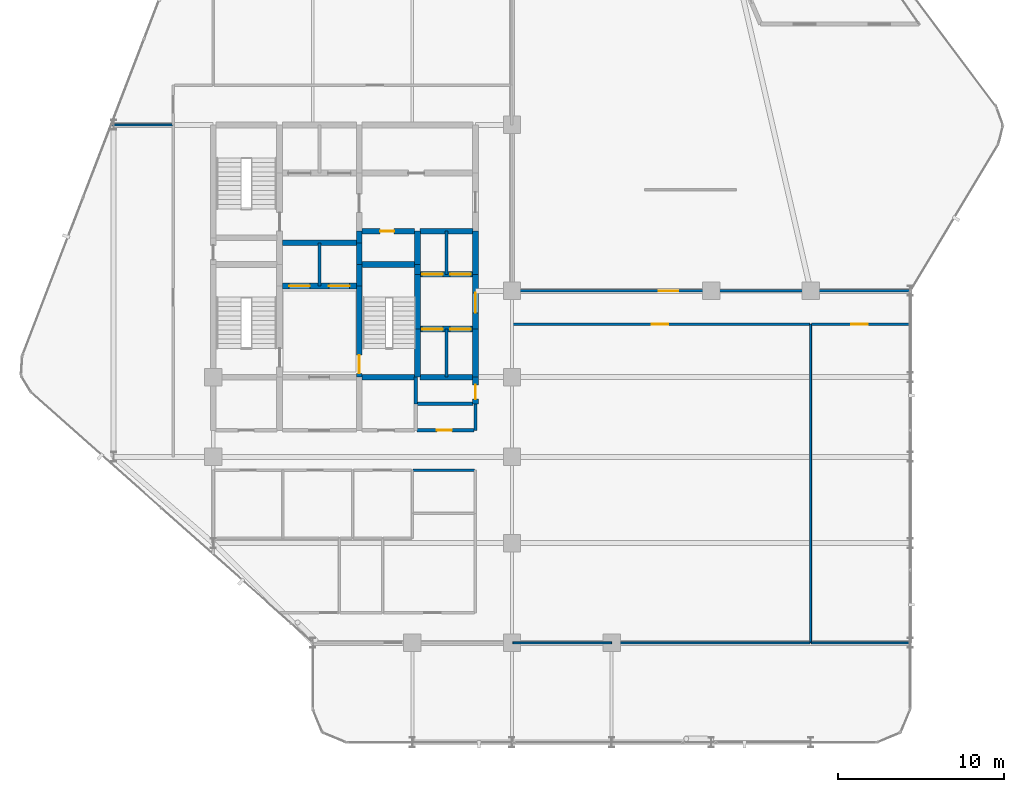
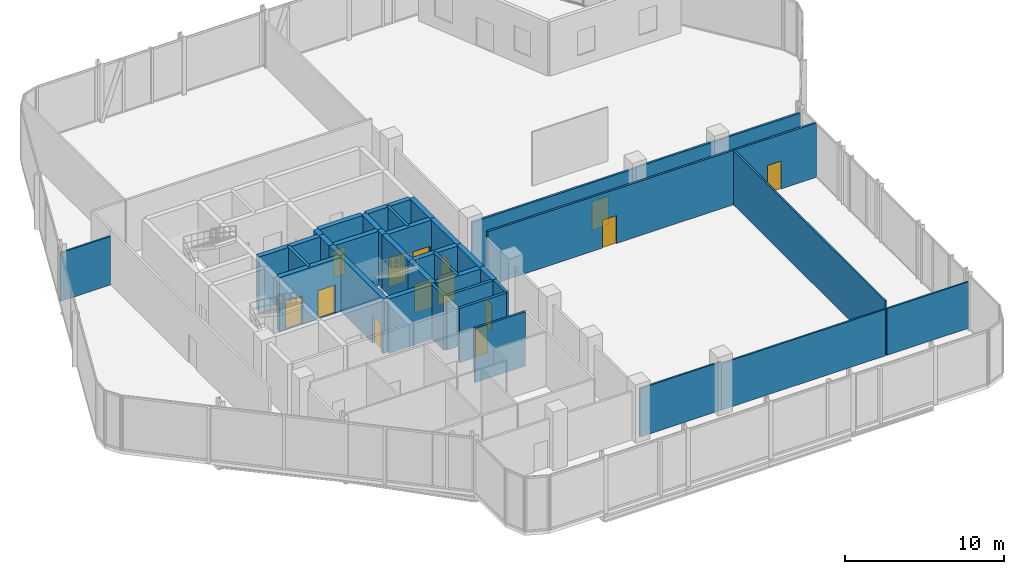
# One storey, part 28 of 31: 38 walls, 14 doors, 14 openings.
"""IFC4 building model written with IfcOpenShell, lengths in metres."""

from ifc_helpers import new_model, si_unit, direction, frame, frame_2d, origin, place, context, subcontext, project, spatial, rectangle, extrude, material, layer, layer_set, type_object, element, fill, save


model = new_model("IFC4")

# Units and contexts
model_context = context("Model", 3, precision=1e-05, world=origin(), true_north=direction((0.0, 1.0)))
body_context = subcontext(model_context, "Body", "Model", "MODEL_VIEW")
ifc_project = project(units=[si_unit("LENGTHUNIT", "METRE"), si_unit("AREAUNIT", "SQUARE_METRE"), si_unit("VOLUMEUNIT", "CUBIC_METRE"), si_unit("PLANEANGLEUNIT", "RADIAN"), si_unit("MASSUNIT", "GRAM", prefix="KILO")], contexts=[model_context])

# Site, building, storey
site_placement = place(None, origin())
site = spatial("IfcSite", under=ifc_project, at=site_placement, CompositionType="ELEMENT")
building_placement = place(site_placement, origin())
building = spatial("IfcBuilding", under=site, at=building_placement, Name="Keshet Zoharim Tower", CompositionType="ELEMENT")
storey_placement = place(building_placement, frame((0.0, 0.0, 125.300048828125)))
storey = spatial("IfcBuildingStorey", under=building, at=storey_placement, Name="L30", CompositionType="ELEMENT", Elevation=125.300048828125)

# Wall
ifc_material_1 = material(Name="Gypsum Plasterboard", Category="gypsum")
ifc_layer_1 = layer(ifc_material_1, 0.14990234375)
ifc_layer_set_1 = layer_set([ifc_layer_1], Name="Gypsum Plasterboard")
wall_type_1 = type_object("IfcWallType", Name="WL-CLIN-150", PredefinedType="STANDARD", material=ifc_layer_set_1)
wall_1_placement = place(storey_placement, frame((27.044921875, 17.10009765625, 0.0), z_axis=(0.0, 0.0, 1.0), x_axis=(1.0, 0.0, 0.0)))
element("IfcWall", 1, at=wall_1_placement, inside=storey, type_object=wall_type_1, Name="L30 Interior Wall 064", PredefinedType="STANDARD", context=body_context, shape_type="SweptSolid", body=[
    extrude(rectangle(XDim=3.695068359375, YDim=0.14990234375, at=frame_2d((1.84765625, 0.0))), origin(), (0.0, 0.0, 1.0), 4.18505859375),
])

# Wall, opening, door
wall_2_placement = place(storey_placement, frame((33.06005859375, 25.89990234375, 0.0), z_axis=(0.0, 0.0, 1.0), x_axis=(1.0, 0.0, 0.0)))
wall_2 = element("IfcWall", 2, at=wall_2_placement, inside=storey, type_object=wall_type_1, Name="L30 Interior Wall 075", PredefinedType="STANDARD", context=body_context, shape_type="SweptSolid", body=[
    extrude(rectangle(XDim=17.89501953125, YDim=0.14990234375, at=frame_2d((8.947509765625, 0.0))), origin(), (0.0, 0.0, 1.0), 4.18505859375),
])
opening_1_placement = place(wall_2_placement, frame((8.368896484375, 0.0, 0.0)))
opening_1 = element("IfcOpeningElement", 3, at=opening_1_placement, cuts=wall_2, Name="Opening D-F310", PredefinedType="OPENING", context=body_context, shape_type="SweptSolid", body=[
    extrude(rectangle(XDim=1.0, YDim=2.14990234375, at=frame_2d((0.5, 1.074951171875))), frame((0.0, 0.0849609375, 0.0), z_axis=(0.0, -1.0, 0.0), x_axis=(1.0, 0.0, 0.0)), (0.0, 0.0, 1.0), 0.169921875),
])
ifc_material_2 = material(Name="Hardwood Timber", Category="wood")
door_type_1 = type_object("IfcDoorType", Name="DR-FD30-100", OperationType="NOTDEFINED", PredefinedType="DOOR", material=ifc_material_2)
door_1_placement = place(opening_1_placement, origin())
door_1 = element("IfcDoor", 4, at=door_1_placement, inside=storey, type_object=door_type_1, Name="L30 Residents Dining Lounge Door", OperationType="SINGLE_SWING_LEFT", OverallHeight=2.14990234375, OverallWidth=1.0, PredefinedType="DOOR", context=body_context, shape_type="SweptSolid", body=[
    extrude(rectangle(XDim=1.0, YDim=2.14990234375, at=frame_2d((0.5, 1.074951171875))), frame((0.0, 0.02490234375, 0.0), z_axis=(0.0, -1.0, 0.0), x_axis=(1.0, 0.0, 0.0)), (0.0, 0.0, 1.0), 0.050048828125),
])
fill(opening_1, door_1)

wall_3_placement = place(storey_placement, frame((51.044921875, 25.89990234375, 0.0), z_axis=(0.0, 0.0, 1.0), x_axis=(1.0, 0.0, 0.0)))
wall_3 = element("IfcWall", 5, at=wall_3_placement, inside=storey, type_object=wall_type_1, Name="L30 Interior Wall 076", PredefinedType="STANDARD", context=body_context, shape_type="SweptSolid", body=[
    extrude(rectangle(XDim=5.945068359375, YDim=0.14990234375, at=frame_2d((2.97265625, 0.0))), origin(), (0.0, 0.0, 1.0), 4.18505859375),
])
opening_2_placement = place(wall_3_placement, frame((2.384033203125, 0.0, 0.0)))
opening_2 = element("IfcOpeningElement", 6, at=opening_2_placement, cuts=wall_3, Name="Opening D-F310", PredefinedType="OPENING", context=body_context, shape_type="SweptSolid", body=[
    extrude(rectangle(XDim=1.0, YDim=2.14990234375, at=frame_2d((0.5, 1.074951171875))), frame((0.0, 0.0849609375, 0.0), z_axis=(0.0, -1.0, 0.0), x_axis=(1.0, 0.0, 0.0)), (0.0, 0.0, 1.0), 0.169921875),
])
door_2_placement = place(opening_2_placement, origin())
door_2 = element("IfcDoor", 7, at=door_2_placement, inside=storey, type_object=door_type_1, Name="L30 Residents Study Room Door", OperationType="SINGLE_SWING_RIGHT", OverallHeight=2.14990234375, OverallWidth=1.0, PredefinedType="DOOR", context=body_context, shape_type="SweptSolid", body=[
    extrude(rectangle(XDim=1.0, YDim=2.14990234375, at=frame_2d((0.5, 1.074951171875))), frame((0.0, 0.02490234375, 0.0), z_axis=(0.0, -1.0, 0.0), x_axis=(1.0, 0.0, 0.0)), (0.0, 0.0, 1.0), 0.050048828125),
])
fill(opening_2, door_2)

wall_4_placement = place(storey_placement, frame((33.06005859375, 27.89990234375, 0.0), z_axis=(0.0, 0.0, 1.0), x_axis=(1.0, 0.0, 0.0)))
wall_4 = element("IfcWall", 8, at=wall_4_placement, inside=storey, type_object=wall_type_1, Name="L30 Interior Wall 077", PredefinedType="STANDARD", context=body_context, shape_type="SweptSolid", body=[
    extrude(rectangle(XDim=11.93994140625, YDim=0.14990234375, at=frame_2d((5.969970703125, 0.0))), origin(), (0.0, 0.0, 1.0), 3.68505859375),
])
opening_3_placement = place(wall_4_placement, frame((8.77001953125, 0.0, 0.0)))
opening_3 = element("IfcOpeningElement", 9, at=opening_3_placement, cuts=wall_4, Name="Opening D-F612", PredefinedType="OPENING", context=body_context, shape_type="SweptSolid", body=[
    extrude(rectangle(XDim=1.199951171875, YDim=2.199951171875, at=frame_2d((0.60009765625, 1.10009765625))), frame((0.0, 0.0849609375, 0.0), z_axis=(0.0, -1.0, 0.0), x_axis=(1.0, 0.0, 0.0)), (0.0, 0.0, 1.0), 0.169921875),
])
door_type_2 = type_object("IfcDoorType", Name="DR-FD60-120", OperationType="NOTDEFINED", PredefinedType="DOOR", material=ifc_material_2)
door_3_placement = place(opening_3_placement, origin())
door_3 = element("IfcDoor", 10, at=door_3_placement, inside=storey, type_object=door_type_2, Name="L30 Community Assembly Hall Door", OperationType="SINGLE_SWING_LEFT", OverallHeight=2.199951171875, OverallWidth=1.199951171875, PredefinedType="DOOR", context=body_context, shape_type="SweptSolid", body=[
    extrude(rectangle(XDim=1.199951171875, YDim=2.199951171875, at=frame_2d((0.60009765625, 1.10009765625))), frame((0.0, 0.02490234375, 0.0), z_axis=(0.0, -1.0, 0.0), x_axis=(1.0, 0.0, 0.0)), (0.0, 0.0, 1.0), 0.050048828125),
])
fill(opening_3, door_3)

# Wall
wall_5_placement = place(storey_placement, frame((45.0, 27.89990234375, 0.0), z_axis=(0.0, 0.0, 1.0), x_axis=(1.0, 0.0, 0.0)))
element("IfcWall", 11, at=wall_5_placement, inside=storey, type_object=wall_type_1, Name="L30 Interior Wall 077 Part 2", PredefinedType="STANDARD", context=body_context, shape_type="SweptSolid", body=[
    extrude(rectangle(XDim=11.989990234375, YDim=0.14990234375, at=frame_2d((5.9951171875, 0.0))), origin(), (0.0, 0.0, 1.0), 3.73486328125),
])

# Wall, opening, door
ifc_material_3 = material(Name="Concrete C60/75", Category="concrete")
ifc_layer_2 = layer(ifc_material_3, 0.35009765625)
ifc_layer_set_2 = layer_set([ifc_layer_2], Name="Concrete C60/75")
wall_type_2 = type_object("IfcWallType", Name="WL-CORE-350", PredefinedType="SHEAR", material=ifc_layer_set_2)
wall_6_placement = place(storey_placement, frame((23.800048828125, 22.699951171875, 0.0), z_axis=(0.0, 0.0, 1.0), x_axis=(0.0, 1.0, 0.0)))
wall_6 = element("IfcWall", 12, at=wall_6_placement, inside=storey, type_object=wall_type_2, Name="L30 Core Shear Wall 021", PredefinedType="SHEAR", context=body_context, shape_type="SweptSolid", body=[
    extrude(rectangle(XDim=5.5, YDim=0.35009765625, at=frame_2d((2.75, 0.0))), origin(), (0.0, 0.0, 1.0), 4.18505859375),
])
opening_4_placement = place(wall_6_placement, frame((0.235107421875, 0.0, 0.0)))
opening_4 = element("IfcOpeningElement", 13, at=opening_4_placement, cuts=wall_6, Name="Opening D-F611", PredefinedType="OPENING", context=body_context, shape_type="SweptSolid", body=[
    extrude(rectangle(XDim=1.10009765625, YDim=2.14990234375, at=frame_2d((0.550048828125, 1.074951171875))), frame((0.0, 0.18505859375, 0.0), z_axis=(0.0, -1.0, 0.0), x_axis=(1.0, 0.0, 0.0)), (0.0, 0.0, 1.0), 0.3701171875),
])
door_type_3 = type_object("IfcDoorType", Name="DR-FD60-110", OperationType="NOTDEFINED", PredefinedType="DOOR", material=ifc_material_2)
door_4_placement = place(opening_4_placement, frame((1.10009765625, 0.0, 0.0), z_axis=(0.0, 0.0, 1.0), x_axis=(-1.0, 0.0, 0.0)))
door_4 = element("IfcDoor", 14, at=door_4_placement, inside=storey, type_object=door_type_3, Name="L30 Exit Stair ST-03 Fire Door", OperationType="SINGLE_SWING_LEFT", OverallHeight=2.14990234375, OverallWidth=1.10009765625, PredefinedType="DOOR", context=body_context, shape_type="SweptSolid", body=[
    extrude(rectangle(XDim=1.10009765625, YDim=2.14990234375, at=frame_2d((0.550048828125, 1.074951171875))), frame((0.0, 0.02490234375, 0.0), z_axis=(0.0, -1.0, 0.0), x_axis=(1.0, 0.0, 0.0)), (0.0, 0.0, 1.0), 0.050048828125),
])
fill(opening_4, door_4)

# Walls
for number, where, z_axis, x_axis, name in (
    (15, (23.800048828125, 28.199951171875, 0.0), (0.0, 0.0, 1.0), (0.0, 1.0, 0.0), "L30 Core Shear Wall 022"),
    (16, (23.800048828125, 29.5, 0.0), (0.0, 0.0, 1.0), (0.0, 1.0, 0.0), "L30 Core Shear Wall 023"),
):
    element("IfcWall", number, at=place(storey_placement, frame(where, z_axis=z_axis, x_axis=x_axis)), inside=storey, type_object=wall_type_2, Name=name, PredefinedType="SHEAR", context=body_context, shape_type="SweptSolid", body=[
        extrude(rectangle(XDim=1.300048828125, YDim=0.35009765625, at=frame_2d((0.64990234375, 0.0))), origin(), (0.0, 0.0, 1.0), 4.18505859375),
    ])
wall_7_placement = place(storey_placement, frame((23.800048828125, 30.800048828125, 0.0), z_axis=(0.0, 0.0, 1.0), x_axis=(0.0, 1.0, 0.0)))
element("IfcWall", 17, at=wall_7_placement, inside=storey, type_object=wall_type_2, Name="L30 Core Shear Wall 024", PredefinedType="SHEAR", context=body_context, shape_type="SweptSolid", body=[
    extrude(rectangle(XDim=0.699951171875, YDim=0.35009765625, at=frame_2d((0.35009765625, 0.0))), origin(), (0.0, 0.0, 1.0), 4.18505859375),
])
wall_8_placement = place(storey_placement, frame((27.300048828125, 22.699951171875, 0.0), z_axis=(0.0, 0.0, 1.0), x_axis=(0.0, 1.0, 0.0)))
element("IfcWall", 18, at=wall_8_placement, inside=storey, type_object=wall_type_2, Name="L30 Core Shear Wall 032", PredefinedType="SHEAR", context=body_context, shape_type="SweptSolid", body=[
    extrude(rectangle(XDim=2.900146484375, YDim=0.35009765625, at=frame_2d((1.4501953125, 0.0))), origin(), (0.0, 0.0, 1.0), 4.18505859375),
])
wall_9_placement = place(storey_placement, frame((27.300048828125, 25.60009765625, 0.0), z_axis=(0.0, 0.0, 1.0), x_axis=(0.0, 1.0, 0.0)))
element("IfcWall", 19, at=wall_9_placement, inside=storey, type_object=wall_type_2, Name="L30 Core Shear Wall 033", PredefinedType="SHEAR", context=body_context, shape_type="SweptSolid", body=[
    extrude(rectangle(XDim=3.2998046875, YDim=0.35009765625, at=frame_2d((1.64990234375, 0.0))), origin(), (0.0, 0.0, 1.0), 4.18505859375),
])
wall_10_placement = place(storey_placement, frame((27.300048828125, 28.89990234375, 0.0), z_axis=(0.0, 0.0, 1.0), x_axis=(0.0, 1.0, 0.0)))
element("IfcWall", 20, at=wall_10_placement, inside=storey, type_object=wall_type_2, Name="L30 Core Shear Wall 034", PredefinedType="SHEAR", context=body_context, shape_type="SweptSolid", body=[
    extrude(rectangle(XDim=0.60009765625, YDim=0.35009765625, at=frame_2d((0.300048828125, 0.0))), origin(), (0.0, 0.0, 1.0), 4.18505859375),
])
wall_11_placement = place(storey_placement, frame((27.300048828125, 29.5, 0.0), z_axis=(0.0, 0.0, 1.0), x_axis=(0.0, 1.0, 0.0)))
element("IfcWall", 21, at=wall_11_placement, inside=storey, type_object=wall_type_2, Name="L30 Core Shear Wall 035", PredefinedType="SHEAR", context=body_context, shape_type="SweptSolid", body=[
    extrude(rectangle(XDim=2.0, YDim=0.35009765625, at=frame_2d((1.0, 0.0))), origin(), (0.0, 0.0, 1.0), 4.18505859375),
])

# Wall, opening, door
wall_12_placement = place(storey_placement, frame((30.800048828125, 21.10009765625, 0.0), z_axis=(0.0, 0.0, 1.0), x_axis=(0.0, 1.0, 0.0)))
wall_12 = element("IfcWall", 22, at=wall_12_placement, inside=storey, type_object=wall_type_2, Name="L30 Core Shear Wall 041", PredefinedType="SHEAR", context=body_context, shape_type="SweptSolid", body=[
    extrude(rectangle(XDim=1.599853515625, YDim=0.35009765625, at=frame_2d((0.7998046875, 0.0))), origin(), (0.0, 0.0, 1.0), 4.18505859375),
])
opening_5_placement = place(wall_12_placement, frame((0.287109375, 0.0, 0.0)))
opening_5 = element("IfcOpeningElement", 23, at=opening_5_placement, cuts=wall_12, Name="Opening D-RS85", PredefinedType="OPENING", context=body_context, shape_type="SweptSolid", body=[
    extrude(rectangle(XDim=0.85009765625, YDim=2.10009765625, at=frame_2d((0.425048828125, 1.050048828125))), frame((0.0, 0.18505859375, 0.0), z_axis=(0.0, -1.0, 0.0), x_axis=(1.0, 0.0, 0.0)), (0.0, 0.0, 1.0), 0.3701171875),
])
door_type_4 = type_object("IfcDoorType", Name="DR-RIS-085", OperationType="NOTDEFINED", PredefinedType="DOOR", material=ifc_material_2)
door_5_placement = place(opening_5_placement, origin())
door_5 = element("IfcDoor", 24, at=door_5_placement, inside=storey, type_object=door_type_4, Name="L30 Linen Store Door", OperationType="SINGLE_SWING_LEFT", OverallHeight=2.10009765625, OverallWidth=0.85009765625, PredefinedType="DOOR", context=body_context, shape_type="SweptSolid", body=[
    extrude(rectangle(XDim=0.85009765625, YDim=2.10009765625, at=frame_2d((0.425048828125, 1.050048828125))), frame((0.0, 0.02490234375, 0.0), z_axis=(0.0, -1.0, 0.0), x_axis=(1.0, 0.0, 0.0)), (0.0, 0.0, 1.0), 0.050048828125),
])
fill(opening_5, door_5)

# Wall
wall_13_placement = place(storey_placement, frame((30.800048828125, 22.699951171875, 0.0), z_axis=(0.0, 0.0, 1.0), x_axis=(0.0, 1.0, 0.0)))
element("IfcWall", 25, at=wall_13_placement, inside=storey, type_object=wall_type_2, Name="L30 Core Shear Wall 042", PredefinedType="SHEAR", context=body_context, shape_type="SweptSolid", body=[
    extrude(rectangle(XDim=2.900146484375, YDim=0.35009765625, at=frame_2d((1.4501953125, 0.0))), origin(), (0.0, 0.0, 1.0), 4.18505859375),
])

# Wall, opening, door
wall_14_placement = place(storey_placement, frame((30.800048828125, 25.60009765625, 0.0), z_axis=(0.0, 0.0, 1.0), x_axis=(0.0, 1.0, 0.0)))
wall_14 = element("IfcWall", 26, at=wall_14_placement, inside=storey, type_object=wall_type_2, Name="L30 Core Shear Wall 043", PredefinedType="SHEAR", context=body_context, shape_type="SweptSolid", body=[
    extrude(rectangle(XDim=3.2998046875, YDim=0.35009765625, at=frame_2d((1.64990234375, 0.0))), origin(), (0.0, 0.0, 1.0), 4.18505859375),
])
opening_6_placement = place(wall_14_placement, frame((0.97802734375, 0.0, 0.0)))
opening_6 = element("IfcOpeningElement", 27, at=opening_6_placement, cuts=wall_14, Name="Opening D-F612", PredefinedType="OPENING", context=body_context, shape_type="SweptSolid", body=[
    extrude(rectangle(XDim=1.199951171875, YDim=2.199951171875, at=frame_2d((0.60009765625, 1.10009765625))), frame((0.0, 0.18505859375, 0.0), z_axis=(0.0, -1.0, 0.0), x_axis=(1.0, 0.0, 0.0)), (0.0, 0.0, 1.0), 0.3701171875),
])
door_6_placement = place(opening_6_placement, origin())
door_6 = element("IfcDoor", 28, at=door_6_placement, inside=storey, type_object=door_type_2, Name="L30 East Lift Lobby Fire Door", OperationType="SINGLE_SWING_RIGHT", OverallHeight=2.199951171875, OverallWidth=1.199951171875, PredefinedType="DOOR", context=body_context, shape_type="SweptSolid", body=[
    extrude(rectangle(XDim=1.199951171875, YDim=2.199951171875, at=frame_2d((0.60009765625, 1.10009765625))), frame((0.0, 0.02490234375, 0.0), z_axis=(0.0, -1.0, 0.0), x_axis=(1.0, 0.0, 0.0)), (0.0, 0.0, 1.0), 0.050048828125),
])
fill(opening_6, door_6)

# Walls
wall_15_placement = place(storey_placement, frame((30.800048828125, 28.89990234375, 0.0), z_axis=(0.0, 0.0, 1.0), x_axis=(0.0, 1.0, 0.0)))
element("IfcWall", 29, at=wall_15_placement, inside=storey, type_object=wall_type_2, Name="L30 Core Shear Wall 044", PredefinedType="SHEAR", context=body_context, shape_type="SweptSolid", body=[
    extrude(rectangle(XDim=2.60009765625, YDim=0.35009765625, at=frame_2d((1.300048828125, 0.0))), origin(), (0.0, 0.0, 1.0), 4.18505859375),
])
wall_16_placement = place(storey_placement, frame((23.9599609375, 22.699951171875, 0.0), z_axis=(0.0, 0.0, 1.0), x_axis=(1.0, 0.0, 0.0)))
element("IfcWall", 30, at=wall_16_placement, inside=storey, type_object=wall_type_2, Name="L30 Core Shear Wall 072", PredefinedType="SHEAR", context=body_context, shape_type="SweptSolid", body=[
    extrude(rectangle(XDim=3.155029296875, YDim=0.35009765625, at=frame_2d((1.57763671875, 0.0))), origin(), (0.0, 0.0, 1.0), 4.18505859375),
])
wall_17_placement = place(storey_placement, frame((27.4599609375, 22.699951171875, 0.0), z_axis=(0.0, 0.0, 1.0), x_axis=(1.0, 0.0, 0.0)))
element("IfcWall", 31, at=wall_17_placement, inside=storey, type_object=wall_type_2, Name="L30 Core Shear Wall 073", PredefinedType="SHEAR", context=body_context, shape_type="SweptSolid", body=[
    extrude(rectangle(XDim=3.179931640625, YDim=0.35009765625, at=frame_2d((1.58984375, 0.0))), origin(), (0.0, 0.0, 1.0), 4.18505859375),
])

# Wall, openings, doors
wall_18_placement = place(storey_placement, frame((27.4599609375, 25.60009765625, 0.0), z_axis=(0.0, 0.0, 1.0), x_axis=(1.0, 0.0, 0.0)))
wall_18 = element("IfcWall", 32, at=wall_18_placement, inside=storey, type_object=wall_type_2, Name="L30 Core Shear Wall 074", PredefinedType="SHEAR", context=body_context, shape_type="SweptSolid", body=[
    extrude(rectangle(XDim=3.179931640625, YDim=0.35009765625, at=frame_2d((1.58984375, 0.0))), origin(), (0.0, 0.0, 1.0), 4.18505859375),
])
opening_7_placement = place(wall_18_placement, frame((0.1201171875, 0.0, 0.0)))
opening_7 = element("IfcOpeningElement", 33, at=opening_7_placement, cuts=wall_18, Name="Opening LD-01", PredefinedType="OPENING", context=body_context, shape_type="SweptSolid", body=[
    extrude(rectangle(XDim=1.25, YDim=2.199951171875, at=frame_2d((0.625, 1.10009765625))), frame((0.0, 0.18505859375, 0.0), z_axis=(0.0, -1.0, 0.0), x_axis=(1.0, 0.0, 0.0)), (0.0, 0.0, 1.0), 0.3701171875),
])
opening_8_placement = place(wall_18_placement, frame((1.81005859375, 0.0, 0.0)))
opening_8 = element("IfcOpeningElement", 34, at=opening_8_placement, cuts=wall_18, Name="Opening LD-01", PredefinedType="OPENING", context=body_context, shape_type="SweptSolid", body=[
    extrude(rectangle(XDim=1.25, YDim=2.199951171875, at=frame_2d((0.625, 1.10009765625))), frame((0.0, 0.18505859375, 0.0), z_axis=(0.0, -1.0, 0.0), x_axis=(1.0, 0.0, 0.0)), (0.0, 0.0, 1.0), 0.3701171875),
])
ifc_material_4 = material(Name="Steel S355", Category="steel")
door_type_5 = type_object("IfcDoorType", Name="DR-LD01-125", OperationType="DOUBLE_DOOR_SLIDING", PredefinedType="DOOR", material=ifc_material_4)
door_7_placement = place(opening_7_placement, origin())
door_7 = element("IfcDoor", 35, at=door_7_placement, inside=storey, type_object=door_type_5, Name="L30 Passenger Lift Landing Door LF-07", OperationType="DOUBLE_DOOR_SLIDING", OverallHeight=2.199951171875, OverallWidth=1.25, PredefinedType="DOOR", context=body_context, shape_type="SweptSolid", body=[
    extrude(rectangle(XDim=1.25, YDim=2.199951171875, at=frame_2d((0.625, 1.10009765625))), frame((0.0, 0.02490234375, 0.0), z_axis=(0.0, -1.0, 0.0), x_axis=(1.0, 0.0, 0.0)), (0.0, 0.0, 1.0), 0.050048828125),
])
fill(opening_7, door_7)
door_8_placement = place(opening_8_placement, origin())
door_8 = element("IfcDoor", 36, at=door_8_placement, inside=storey, type_object=door_type_5, Name="L30 Passenger Lift Landing Door LF-08", OperationType="DOUBLE_DOOR_SLIDING", OverallHeight=2.199951171875, OverallWidth=1.25, PredefinedType="DOOR", context=body_context, shape_type="SweptSolid", body=[
    extrude(rectangle(XDim=1.25, YDim=2.199951171875, at=frame_2d((0.625, 1.10009765625))), frame((0.0, 0.02490234375, 0.0), z_axis=(0.0, -1.0, 0.0), x_axis=(1.0, 0.0, 0.0)), (0.0, 0.0, 1.0), 0.050048828125),
])
fill(opening_8, door_8)

wall_19_placement = place(storey_placement, frame((19.159912109375, 28.199951171875, 0.0), z_axis=(0.0, 0.0, 1.0), x_axis=(1.0, 0.0, 0.0)))
wall_19 = element("IfcWall", 37, at=wall_19_placement, inside=storey, type_object=wall_type_2, Name="L30 Core Shear Wall 078", PredefinedType="SHEAR", context=body_context, shape_type="SweptSolid", body=[
    extrude(rectangle(XDim=4.47998046875, YDim=0.35009765625, at=frame_2d((2.239990234375, 0.0))), origin(), (0.0, 0.0, 1.0), 4.18505859375),
])
opening_9_placement = place(wall_19_placement, frame((0.4150390625, 0.0, 0.0)))
opening_9 = element("IfcOpeningElement", 38, at=opening_9_placement, cuts=wall_19, Name="Opening LD-01", PredefinedType="OPENING", context=body_context, shape_type="SweptSolid", body=[
    extrude(rectangle(XDim=1.25, YDim=2.199951171875, at=frame_2d((0.625, 1.10009765625))), frame((0.0, 0.18505859375, 0.0), z_axis=(0.0, -1.0, 0.0), x_axis=(1.0, 0.0, 0.0)), (0.0, 0.0, 1.0), 0.3701171875),
])
opening_10_placement = place(wall_19_placement, frame((2.81494140625, 0.0, 0.0)))
opening_10 = element("IfcOpeningElement", 39, at=opening_10_placement, cuts=wall_19, Name="Opening LD-01", PredefinedType="OPENING", context=body_context, shape_type="SweptSolid", body=[
    extrude(rectangle(XDim=1.25, YDim=2.199951171875, at=frame_2d((0.625, 1.10009765625))), frame((0.0, 0.18505859375, 0.0), z_axis=(0.0, -1.0, 0.0), x_axis=(1.0, 0.0, 0.0)), (0.0, 0.0, 1.0), 0.3701171875),
])
door_9_placement = place(opening_9_placement, origin())
door_9 = element("IfcDoor", 40, at=door_9_placement, inside=storey, type_object=door_type_5, Name="L30 Passenger Lift Landing Door LF-09", OperationType="DOUBLE_DOOR_SLIDING", OverallHeight=2.199951171875, OverallWidth=1.25, PredefinedType="DOOR", context=body_context, shape_type="SweptSolid", body=[
    extrude(rectangle(XDim=1.25, YDim=2.199951171875, at=frame_2d((0.625, 1.10009765625))), frame((0.0, 0.02490234375, 0.0), z_axis=(0.0, -1.0, 0.0), x_axis=(1.0, 0.0, 0.0)), (0.0, 0.0, 1.0), 0.050048828125),
])
fill(opening_9, door_9)
door_10_placement = place(opening_10_placement, origin())
door_10 = element("IfcDoor", 41, at=door_10_placement, inside=storey, type_object=door_type_5, Name="L30 Passenger Lift Landing Door LF-10", OperationType="DOUBLE_DOOR_SLIDING", OverallHeight=2.199951171875, OverallWidth=1.25, PredefinedType="DOOR", context=body_context, shape_type="SweptSolid", body=[
    extrude(rectangle(XDim=1.25, YDim=2.199951171875, at=frame_2d((0.625, 1.10009765625))), frame((0.0, 0.02490234375, 0.0), z_axis=(0.0, -1.0, 0.0), x_axis=(1.0, 0.0, 0.0)), (0.0, 0.0, 1.0), 0.050048828125),
])
fill(opening_10, door_10)

wall_20_placement = place(storey_placement, frame((27.4599609375, 28.89990234375, 0.0), z_axis=(0.0, 0.0, 1.0), x_axis=(1.0, 0.0, 0.0)))
wall_20 = element("IfcWall", 42, at=wall_20_placement, inside=storey, type_object=wall_type_2, Name="L30 Core Shear Wall 079", PredefinedType="SHEAR", context=body_context, shape_type="SweptSolid", body=[
    extrude(rectangle(XDim=3.179931640625, YDim=0.35009765625, at=frame_2d((1.58984375, 0.0))), origin(), (0.0, 0.0, 1.0), 4.18505859375),
])
opening_11_placement = place(wall_20_placement, frame((0.1201171875, 0.0, 0.0)))
opening_11 = element("IfcOpeningElement", 43, at=opening_11_placement, cuts=wall_20, Name="Opening LD-01", PredefinedType="OPENING", context=body_context, shape_type="SweptSolid", body=[
    extrude(rectangle(XDim=1.25, YDim=2.199951171875, at=frame_2d((0.625, 1.10009765625))), frame((0.0, 0.18505859375, 0.0), z_axis=(0.0, -1.0, 0.0), x_axis=(1.0, 0.0, 0.0)), (0.0, 0.0, 1.0), 0.3701171875),
])
opening_12_placement = place(wall_20_placement, frame((1.81005859375, 0.0, 0.0)))
opening_12 = element("IfcOpeningElement", 44, at=opening_12_placement, cuts=wall_20, Name="Opening LD-01", PredefinedType="OPENING", context=body_context, shape_type="SweptSolid", body=[
    extrude(rectangle(XDim=1.25, YDim=2.199951171875, at=frame_2d((0.625, 1.10009765625))), frame((0.0, 0.18505859375, 0.0), z_axis=(0.0, -1.0, 0.0), x_axis=(1.0, 0.0, 0.0)), (0.0, 0.0, 1.0), 0.3701171875),
])
door_11_placement = place(opening_11_placement, origin())
door_11 = element("IfcDoor", 45, at=door_11_placement, inside=storey, type_object=door_type_5, Name="L30 Passenger Lift Landing Door LF-05", OperationType="DOUBLE_DOOR_SLIDING", OverallHeight=2.199951171875, OverallWidth=1.25, PredefinedType="DOOR", context=body_context, shape_type="SweptSolid", body=[
    extrude(rectangle(XDim=1.25, YDim=2.199951171875, at=frame_2d((0.625, 1.10009765625))), frame((0.0, 0.02490234375, 0.0), z_axis=(0.0, -1.0, 0.0), x_axis=(1.0, 0.0, 0.0)), (0.0, 0.0, 1.0), 0.050048828125),
])
fill(opening_11, door_11)
door_12_placement = place(opening_12_placement, origin())
door_12 = element("IfcDoor", 46, at=door_12_placement, inside=storey, type_object=door_type_5, Name="L30 Passenger Lift Landing Door LF-06", OperationType="DOUBLE_DOOR_SLIDING", OverallHeight=2.199951171875, OverallWidth=1.25, PredefinedType="DOOR", context=body_context, shape_type="SweptSolid", body=[
    extrude(rectangle(XDim=1.25, YDim=2.199951171875, at=frame_2d((0.625, 1.10009765625))), frame((0.0, 0.02490234375, 0.0), z_axis=(0.0, -1.0, 0.0), x_axis=(1.0, 0.0, 0.0)), (0.0, 0.0, 1.0), 0.050048828125),
])
fill(opening_12, door_12)

# Walls
wall_21_placement = place(storey_placement, frame((23.9599609375, 29.5, 0.0), z_axis=(0.0, 0.0, 1.0), x_axis=(1.0, 0.0, 0.0)))
element("IfcWall", 47, at=wall_21_placement, inside=storey, type_object=wall_type_2, Name="L30 Core Shear Wall 081", PredefinedType="SHEAR", context=body_context, shape_type="SweptSolid", body=[
    extrude(rectangle(XDim=3.179931640625, YDim=0.35009765625, at=frame_2d((1.58984375, 0.0))), origin(), (0.0, 0.0, 1.0), 4.18505859375),
])
wall_22_placement = place(storey_placement, frame((19.159912109375, 30.800048828125, 0.0), z_axis=(0.0, 0.0, 1.0), x_axis=(1.0, 0.0, 0.0)))
element("IfcWall", 48, at=wall_22_placement, inside=storey, type_object=wall_type_2, Name="L30 Core Shear Wall 082", PredefinedType="SHEAR", context=body_context, shape_type="SweptSolid", body=[
    extrude(rectangle(XDim=4.47998046875, YDim=0.35009765625, at=frame_2d((2.239990234375, 0.0))), origin(), (0.0, 0.0, 1.0), 4.18505859375),
])

# Wall, opening, door
wall_23_placement = place(storey_placement, frame((23.9599609375, 31.5, 0.0), z_axis=(0.0, 0.0, 1.0), x_axis=(1.0, 0.0, 0.0)))
wall_23 = element("IfcWall", 49, at=wall_23_placement, inside=storey, type_object=wall_type_2, Name="L30 Core Shear Wall 084", PredefinedType="SHEAR", context=body_context, shape_type="SweptSolid", body=[
    extrude(rectangle(XDim=3.179931640625, YDim=0.35009765625, at=frame_2d((1.58984375, 0.0))), origin(), (0.0, 0.0, 1.0), 4.18505859375),
])
opening_13_placement = place(wall_23_placement, frame((1.093994140625, 0.0, 0.0)))
opening_13 = element("IfcOpeningElement", 50, at=opening_13_placement, cuts=wall_23, Name="Opening D-RS85", PredefinedType="OPENING", context=body_context, shape_type="SweptSolid", body=[
    extrude(rectangle(XDim=0.85009765625, YDim=2.10009765625, at=frame_2d((0.425048828125, 1.050048828125))), frame((0.0, 0.18505859375, 0.0), z_axis=(0.0, -1.0, 0.0), x_axis=(1.0, 0.0, 0.0)), (0.0, 0.0, 1.0), 0.3701171875),
])
door_13_placement = place(opening_13_placement, origin())
door_13 = element("IfcDoor", 51, at=door_13_placement, inside=storey, type_object=door_type_4, Name="L30 Telecom Riser Access Cupboard Door", OperationType="SINGLE_SWING_RIGHT", OverallHeight=2.10009765625, OverallWidth=0.85009765625, PredefinedType="DOOR", context=body_context, shape_type="SweptSolid", body=[
    extrude(rectangle(XDim=0.85009765625, YDim=2.10009765625, at=frame_2d((0.425048828125, 1.050048828125))), frame((0.0, 0.02490234375, 0.0), z_axis=(0.0, -1.0, 0.0), x_axis=(1.0, 0.0, 0.0)), (0.0, 0.0, 1.0), 0.050048828125),
])
fill(opening_13, door_13)

# Walls
wall_24_placement = place(storey_placement, frame((27.4599609375, 31.5, 0.0), z_axis=(0.0, 0.0, 1.0), x_axis=(1.0, 0.0, 0.0)))
element("IfcWall", 52, at=wall_24_placement, inside=storey, type_object=wall_type_2, Name="L30 Core Shear Wall 085", PredefinedType="SHEAR", context=body_context, shape_type="SweptSolid", body=[
    extrude(rectangle(XDim=3.179931640625, YDim=0.35009765625, at=frame_2d((1.58984375, 0.0))), origin(), (0.0, 0.0, 1.0), 4.18505859375),
])
ifc_material_5 = material(Name="Concrete C50/60", Category="concrete")
ifc_layer_3 = layer(ifc_material_5, 0.199951171875)
ifc_layer_set_3 = layer_set([ifc_layer_3], Name="Concrete C50/60")
wall_type_3 = type_object("IfcWallType", Name="WL-FIRE-200", PredefinedType="STANDARD", material=ifc_layer_set_3)
wall_25_placement = place(storey_placement, frame((21.39990234375, 28.199951171875, 0.0), z_axis=(0.0, 0.0, 1.0), x_axis=(0.0, 1.0, 0.0)))
element("IfcWall", 53, at=wall_25_placement, inside=storey, type_object=wall_type_3, Name="L30 Interior Wall 016", PredefinedType="STANDARD", context=body_context, shape_type="SweptSolid", body=[
    extrude(rectangle(XDim=2.60009765625, YDim=0.199951171875, at=frame_2d((1.300048828125, 0.0))), origin(), (0.0, 0.0, 1.0), 4.18505859375),
])
wall_26_placement = place(storey_placement, frame((27.199951171875, 21.10009765625, 0.0), z_axis=(0.0, 0.0, 1.0), x_axis=(0.0, 1.0, 0.0)))
element("IfcWall", 54, at=wall_26_placement, inside=storey, type_object=wall_type_3, Name="L30 Interior Wall 031", PredefinedType="STANDARD", context=body_context, shape_type="SweptSolid", body=[
    extrude(rectangle(XDim=1.599853515625, YDim=0.199951171875, at=frame_2d((0.7998046875, 0.0))), origin(), (0.0, 0.0, 1.0), 4.18505859375),
])
wall_27_placement = place(storey_placement, frame((29.050048828125, 22.699951171875, 0.0), z_axis=(0.0, 0.0, 1.0), x_axis=(0.0, 1.0, 0.0)))
element("IfcWall", 55, at=wall_27_placement, inside=storey, type_object=wall_type_3, Name="L30 Interior Wall 036", PredefinedType="STANDARD", context=body_context, shape_type="SweptSolid", body=[
    extrude(rectangle(XDim=2.900146484375, YDim=0.199951171875, at=frame_2d((1.4501953125, 0.0))), origin(), (0.0, 0.0, 1.0), 4.18505859375),
])
wall_28_placement = place(storey_placement, frame((29.050048828125, 28.89990234375, 0.0), z_axis=(0.0, 0.0, 1.0), x_axis=(0.0, 1.0, 0.0)))
element("IfcWall", 56, at=wall_28_placement, inside=storey, type_object=wall_type_3, Name="L30 Interior Wall 037", PredefinedType="STANDARD", context=body_context, shape_type="SweptSolid", body=[
    extrude(rectangle(XDim=2.60009765625, YDim=0.199951171875, at=frame_2d((1.300048828125, 0.0))), origin(), (0.0, 0.0, 1.0), 4.18505859375),
])
wall_29_placement = place(storey_placement, frame((30.800048828125, 19.5, 0.0), z_axis=(0.0, 0.0, 1.0), x_axis=(0.0, 1.0, 0.0)))
element("IfcWall", 57, at=wall_29_placement, inside=storey, type_object=wall_type_3, Name="L30 Interior Wall 040", PredefinedType="STANDARD", context=body_context, shape_type="SweptSolid", body=[
    extrude(rectangle(XDim=1.60009765625, YDim=0.199951171875, at=frame_2d((0.800048828125, 0.0))), origin(), (0.0, 0.0, 1.0), 4.18505859375),
])

# Wall, opening, door
wall_30_placement = place(storey_placement, frame((27.284912109375, 19.5, 0.0), z_axis=(0.0, 0.0, 1.0), x_axis=(1.0, 0.0, 0.0)))
wall_30 = element("IfcWall", 58, at=wall_30_placement, inside=storey, type_object=wall_type_3, Name="L30 Interior Wall 068", PredefinedType="STANDARD", context=body_context, shape_type="SweptSolid", body=[
    extrude(rectangle(XDim=3.43017578125, YDim=0.199951171875, at=frame_2d((1.715087890625, 0.0))), origin(), (0.0, 0.0, 1.0), 4.18505859375),
])
opening_14_placement = place(wall_30_placement, frame((1.19189453125, 0.0, 0.0)))
opening_14 = element("IfcOpeningElement", 59, at=opening_14_placement, cuts=wall_30, Name="Opening D-F690", PredefinedType="OPENING", context=body_context, shape_type="SweptSolid", body=[
    extrude(rectangle(XDim=0.89990234375, YDim=2.14990234375, at=frame_2d((0.449951171875, 1.074951171875))), frame((0.0, 0.10986328125, 0.0), z_axis=(0.0, -1.0, 0.0), x_axis=(1.0, 0.0, 0.0)), (0.0, 0.0, 1.0), 0.219970703125),
])
door_type_6 = type_object("IfcDoorType", Name="DR-FD60-090", OperationType="NOTDEFINED", PredefinedType="DOOR", material=ifc_material_2)
door_14_placement = place(opening_14_placement, origin())
door_14 = element("IfcDoor", 60, at=door_14_placement, inside=storey, type_object=door_type_6, Name="L30 Valve Room Door", OperationType="SINGLE_SWING_LEFT", OverallHeight=2.14990234375, OverallWidth=0.89990234375, PredefinedType="DOOR", context=body_context, shape_type="SweptSolid", body=[
    extrude(rectangle(XDim=0.89990234375, YDim=2.14990234375, at=frame_2d((0.449951171875, 1.074951171875))), frame((0.0, 0.02490234375, 0.0), z_axis=(0.0, -1.0, 0.0), x_axis=(1.0, 0.0, 0.0)), (0.0, 0.0, 1.0), 0.050048828125),
])
fill(opening_14, door_14)

# Walls
wall_31_placement = place(storey_placement, frame((27.284912109375, 21.10009765625, 0.0), z_axis=(0.0, 0.0, 1.0), x_axis=(1.0, 0.0, 0.0)))
element("IfcWall", 61, at=wall_31_placement, inside=storey, type_object=wall_type_3, Name="L30 Interior Wall 069", PredefinedType="STANDARD", context=body_context, shape_type="SweptSolid", body=[
    extrude(rectangle(XDim=3.35498046875, YDim=0.199951171875, at=frame_2d((1.677490234375, 0.0))), origin(), (0.0, 0.0, 1.0), 4.18505859375),
])
ifc_layer_4 = layer(ifc_material_1, 0.1201171875)
ifc_layer_set_4 = layer_set([ifc_layer_4], Name="Gypsum Plasterboard")
wall_type_4 = type_object("IfcWallType", Name="WL-PART-120", PredefinedType="PARTITIONING", material=ifc_layer_set_4)
wall_32_placement = place(storey_placement, frame((51.0, 6.699951171875, 0.0), z_axis=(0.0, 0.0, 1.0), x_axis=(0.0, 1.0, 0.0)))
element("IfcWall", 62, at=wall_32_placement, inside=storey, type_object=wall_type_4, Name="L30 Interior Wall 050", PredefinedType="PARTITIONING", context=body_context, shape_type="SweptSolid", body=[
    extrude(rectangle(XDim=19.199951171875, YDim=0.1201171875, at=frame_2d((9.60009765625, 0.0))), origin(), (0.0, 0.0, 1.0), 4.18505859375),
])
wall_33_placement = place(storey_placement, frame((33.06005859375, 6.699951171875, 0.0), z_axis=(0.0, 0.0, 1.0), x_axis=(1.0, 0.0, 0.0)))
element("IfcWall", 63, at=wall_33_placement, inside=storey, type_object=wall_type_4, Name="L30 Interior Wall 052", PredefinedType="PARTITIONING", context=body_context, shape_type="SweptSolid", body=[
    extrude(rectangle(XDim=5.93994140625, YDim=0.1201171875, at=frame_2d((2.969970703125, 0.0))), origin(), (0.0, 0.0, 1.0), 3.73486328125),
])
wall_34_placement = place(storey_placement, frame((51.044921875, 6.699951171875, 0.0), z_axis=(0.0, 0.0, 1.0), x_axis=(1.0, 0.0, 0.0)))
element("IfcWall", 64, at=wall_34_placement, inside=storey, type_object=wall_type_4, Name="L30 Interior Wall 053", PredefinedType="PARTITIONING", context=body_context, shape_type="SweptSolid", body=[
    extrude(rectangle(XDim=5.945068359375, YDim=0.1201171875, at=frame_2d((2.97265625, 0.0))), origin(), (0.0, 0.0, 1.0), 3.5849609375),
])
wall_35_placement = place(storey_placement, frame((8.85595703125, 37.89990234375, 0.0), z_axis=(0.0, 0.0, 1.0), x_axis=(1.0, 0.0, 0.0)))
element("IfcWall", 65, at=wall_35_placement, inside=storey, type_object=wall_type_4, Name="L30 Interior Wall 088", PredefinedType="PARTITIONING", context=body_context, shape_type="SweptSolid", body=[
    extrude(rectangle(XDim=3.68408203125, YDim=0.1201171875, at=frame_2d((1.842041015625, 0.0))), origin(), (0.0, 0.0, 1.0), 3.73486328125),
])
wall_36_placement = place(storey_placement, frame((39.0, 6.699951171875, 0.0), z_axis=(0.0, 0.0, 1.0), x_axis=(1.0, 0.0, 0.0)))
element("IfcWall", 66, at=wall_36_placement, inside=storey, type_object=wall_type_4, Name="L30 Interior Wall 052 Part 2", PredefinedType="PARTITIONING", context=body_context, shape_type="SweptSolid", body=[
    extrude(rectangle(XDim=11.955078125, YDim=0.1201171875, at=frame_2d((5.9775390625, 0.0))), origin(), (0.0, 0.0, 1.0), 3.5849609375),
])

save(model, "model.ifc")
